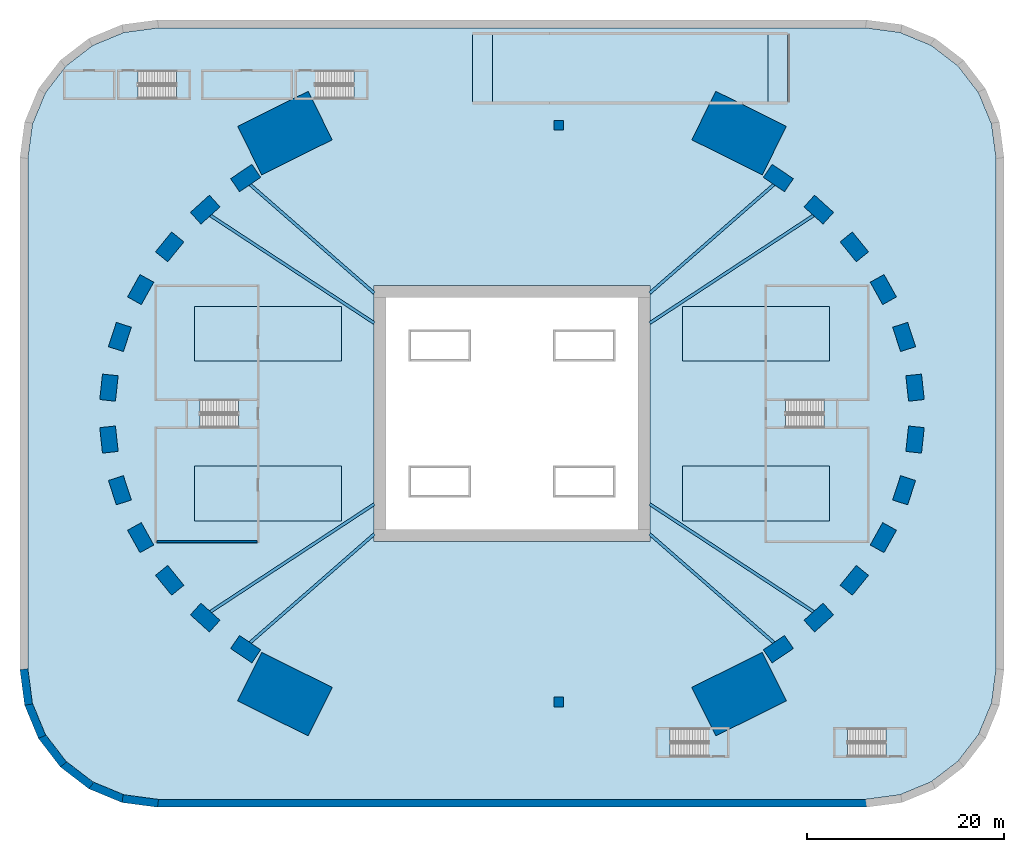
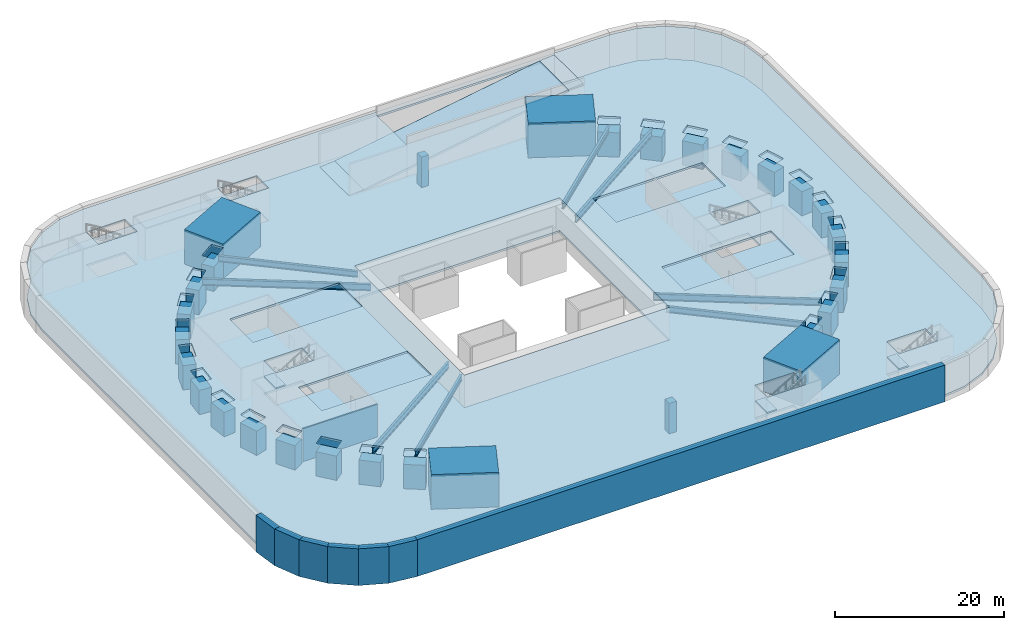
# One storey, part 1 of 10: 30 columns, 11 slabs, 8 beams, 8 walls, 6 elements without a shape of their own.
"""IFC4 building model written with IfcOpenShell, lengths in metres."""

from ifc_helpers import new_model, si_unit, direction, frame, frame_2d, origin, origin_2d, place, context, subcontext, project, spatial, polyline, rectangle, i_section, outline, extrude, source, transform, mapped, material, layer, layer_set, material_profile, profile_set, type_object, element, aggregate, save


model = new_model("IFC4")

# Units and contexts
model_context = context("Model", 3, precision=1e-05, world=origin(), true_north=direction((0.0, 1.0)))
body_context = subcontext(model_context, "Body", "Model", "MODEL_VIEW")
ifc_project = project(units=[si_unit("LENGTHUNIT", "METRE"), si_unit("AREAUNIT", "SQUARE_METRE"), si_unit("VOLUMEUNIT", "CUBIC_METRE"), si_unit("PLANEANGLEUNIT", "RADIAN"), si_unit("MASSUNIT", "GRAM", prefix="KILO")], contexts=[model_context])

# Site, building, storey
site_placement = place(None, origin())
site = spatial("IfcSite", under=ifc_project, at=site_placement, CompositionType="ELEMENT")
building_placement = place(site_placement, origin())
building = spatial("IfcBuilding", under=site, at=building_placement, Name="Embergate Tower", CompositionType="ELEMENT")
storey_placement = place(building_placement, frame((0.0, 0.0, -5.0)))
storey = spatial("IfcBuildingStorey", under=building, at=storey_placement, Name="B1", CompositionType="ELEMENT", Elevation=-5.0)

# Columns
ifc_material_1 = material(Name="Concrete C70", Category="concrete")
ifc_material_profile_1 = material_profile(ifc_material_1, rectangle(XDim=1.60009765625, YDim=2.60009765625, at=origin_2d()), Name="RC 1600x2600")
ifc_profile_set_1 = profile_set([ifc_material_profile_1], Name="Concrete C70")
column_type_1 = type_object("IfcColumnType", Name="Ring column RC 1600x2600 C70", PredefinedType="COLUMN", material=ifc_profile_set_1)
shared_shape_1 = source(origin(), body_context, "Body", "SweptSolid", [
    extrude(rectangle(XDim=1.60009765625, YDim=2.60009765625, at=origin_2d()), origin(), (0.0, 0.0, 1.0), 3.5),
])
for number, where, z_axis, x_axis, name in (
    (1, (40.958984375, 2.636962890625, 0.0), (0.0, 0.0, 1.0), (0.99428589498, 0.106749983816, 0.0), "COL-B1-00"),
    (2, (39.85009765625, 7.7880859375, 0.0), (0.0, 0.0, 1.0), (0.950754033697, 0.309946394413, 0.0), "COL-B1-01"),
    (3, (37.738037109375, 12.60498046875, 0.0), (0.0, 0.0, 1.0), (0.873491969053, 0.486838556403, 0.0), "COL-B1-02"),
    (4, (34.7890625, 16.94189453125, 0.0), (0.0, 0.0, 1.0), (0.775925311702, 0.630824786022, 0.0), "COL-B1-03"),
    (5, (31.178955078125, 20.72802734375, 0.0), (0.0, 0.0, 1.0), (0.669208424634, 0.74307475021, 0.0), "COL-B1-04"),
    (6, (27.06494140625, 23.93896484375, 0.0), (0.0, 0.0, 1.0), (0.560393279442, 0.828226643109, 0.0), "COL-B1-05"),
    (7, (-27.06494140625, 23.93896484375, 0.0), (0.0, 0.0, 1.0), (-0.560393279442, 0.828226643109, 0.0), "COL-B1-16"),
    (8, (-31.178955078125, 20.72802734375, 0.0), (0.0, 0.0, 1.0), (-0.669208424634, 0.74307475021, 0.0), "COL-B1-17"),
    (9, (-34.7890625, 16.94189453125, 0.0), (0.0, 0.0, 1.0), (-0.775925311702, 0.630824786022, 0.0), "COL-B1-18"),
    (10, (-37.738037109375, 12.60498046875, 0.0), (0.0, 0.0, 1.0), (-0.873491969053, 0.486838556403, 0.0), "COL-B1-19"),
    (11, (-39.85009765625, 7.7880859375, 0.0), (0.0, 0.0, 1.0), (-0.950754033697, 0.309946394413, 0.0), "COL-B1-20"),
    (12, (-40.958984375, 2.636962890625, 0.0), (0.0, 0.0, 1.0), (-0.99428589498, 0.106749983816, 0.0), "COL-B1-21"),
    (13, (-40.958984375, -2.636962890625, 0.0), (0.0, 0.0, 1.0), (-0.99428589498, -0.106749983816, 0.0), "COL-B1-22"),
    (14, (-39.85009765625, -7.7880859375, 0.0), (0.0, 0.0, 1.0), (-0.950754033697, -0.309946394413, 0.0), "COL-B1-23"),
    (15, (-37.738037109375, -12.60498046875, 0.0), (0.0, 0.0, 1.0), (-0.873491969053, -0.486838556403, 0.0), "COL-B1-24"),
    (16, (-34.7890625, -16.94189453125, 0.0), (0.0, 0.0, 1.0), (-0.775925311702, -0.630824786022, 0.0), "COL-B1-25"),
    (17, (-31.178955078125, -20.72802734375, 0.0), (0.0, 0.0, 1.0), (-0.669208424634, -0.74307475021, 0.0), "COL-B1-26"),
    (18, (-27.06494140625, -23.93896484375, 0.0), (0.0, 0.0, 1.0), (-0.560393279442, -0.828226643109, 0.0), "COL-B1-27"),
    (19, (27.06494140625, -23.93896484375, 0.0), (0.0, 0.0, 1.0), (0.560393279442, -0.828226643109, 0.0), "COL-B1-38"),
    (20, (31.178955078125, -20.72802734375, 0.0), (0.0, 0.0, 1.0), (0.669208424634, -0.74307475021, 0.0), "COL-B1-39"),
    (21, (34.7890625, -16.94189453125, 0.0), (0.0, 0.0, 1.0), (0.775925311702, -0.630824786022, 0.0), "COL-B1-40"),
    (22, (37.738037109375, -12.60498046875, 0.0), (0.0, 0.0, 1.0), (0.873491969053, -0.486838556403, 0.0), "COL-B1-41"),
    (23, (39.85009765625, -7.7880859375, 0.0), (0.0, 0.0, 1.0), (0.950754033697, -0.309946394413, 0.0), "COL-B1-42"),
    (24, (40.958984375, -2.636962890625, 0.0), (0.0, 0.0, 1.0), (0.99428589498, -0.106749983816, 0.0), "COL-B1-43"),
):
    element("IfcColumn", number, at=place(storey_placement, frame(where, z_axis=z_axis, x_axis=x_axis)), inside=storey, type_object=column_type_1, Name=name, PredefinedType="COLUMN", context=body_context, shape_type="MappedRepresentation", body=[
        mapped(shared_shape_1, transform((0.0, 0.0, 0.0))),
    ])
ifc_material_2 = material(Name="Concrete C50", Category="concrete")
ifc_material_profile_2 = material_profile(ifc_material_2, rectangle(XDim=1.0, YDim=1.0, at=origin_2d()), Name="RC 1000x1000")
ifc_profile_set_2 = profile_set([ifc_material_profile_2], Name="Concrete C50")
column_type_2 = type_object("IfcColumnType", Name="Basement column RC 1000x1000 C50", PredefinedType="COLUMN", material=ifc_profile_set_2)
shared_shape_2 = source(origin(), body_context, "Body", "SweptSolid", [
    extrude(rectangle(XDim=1.0, YDim=1.0, at=origin_2d()), origin(), (0.0, 0.0, 1.0), 4.39990234375),
])
for number, where, z_axis, x_axis, name in (
    (25, (4.75, 29.300048828125, 0.0), (0.0, 0.0, 1.0), (1.0, 0.0, 0.0), "BCL-B1-000"),
    (26, (4.75, -29.300048828125, 0.0), (0.0, 0.0, 1.0), (1.0, 0.0, 0.0), "BCL-B1-001"),
):
    element("IfcColumn", number, at=place(storey_placement, frame(where, z_axis=z_axis, x_axis=x_axis)), inside=storey, type_object=column_type_2, Name=name, PredefinedType="COLUMN", context=body_context, shape_type="MappedRepresentation", body=[
        mapped(shared_shape_2, transform((0.0, 0.0, 0.0))),
    ])
ifc_material_profile_3 = material_profile(ifc_material_1, rectangle(XDim=5.5, YDim=8.0, at=origin_2d()), Name="RC 5500x8000")
ifc_profile_set_3 = profile_set([ifc_material_profile_3], Name="Concrete C70")
column_type_3 = type_object("IfcColumnType", Name="Abutment pier RC 5500x8000", PredefinedType="COLUMN", material=ifc_profile_set_3)
shared_shape_3 = source(origin(), body_context, "Body", "SweptSolid", [
    extrude(rectangle(XDim=5.5, YDim=8.0, at=origin_2d()), origin(), (0.0, 0.0, 1.0), 5.0),
])
for number, where, z_axis, x_axis, name in (
    (27, (23.076904296875, 28.509033203125, 0.0), (0.0, 0.0, 1.0), (0.444697710579, 0.895680716665, 0.0), "PIER-B1-06"),
    (28, (-23.076904296875, 28.509033203125, 0.0), (0.0, 0.0, 1.0), (-0.444697710579, 0.895680716665, 0.0), "PIER-B1-15"),
    (29, (-23.076904296875, -28.509033203125, 0.0), (0.0, 0.0, 1.0), (-0.444697710579, -0.895680716665, 0.0), "PIER-B1-28"),
    (30, (23.076904296875, -28.509033203125, 0.0), (0.0, 0.0, 1.0), (0.444697710579, -0.895680716665, 0.0), "PIER-B1-37"),
):
    element("IfcColumn", number, at=place(storey_placement, frame(where, z_axis=z_axis, x_axis=x_axis)), inside=storey, type_object=column_type_3, Name=name, PredefinedType="COLUMN", context=body_context, shape_type="MappedRepresentation", body=[
        mapped(shared_shape_3, transform((0.0, 0.0, 0.0))),
    ])

# Beams
ifc_material_3 = material(Name="Steel Q355B", Category="steel")
ifc_material_profile_4 = material_profile(ifc_material_3, i_section(OverallWidth=0.300048828125, OverallDepth=0.89990234375, WebThickness=0.01611328125, FlangeThickness=0.028076171875, FilletRadius=0.028076171875, at=origin_2d()), Name="HN 900x300x16x28")
ifc_profile_set_4 = profile_set([ifc_material_profile_4], Name="Steel Q355 grade B")
beam_type_1 = type_object("IfcBeamType", Name="Basement girder HN 900x300x16x28", PredefinedType="BEAM", material=ifc_profile_set_4)
shared_shape_4 = source(origin(), body_context, "Body", "SweptSolid", [
    extrude(i_section(OverallWidth=0.300048828125, OverallDepth=0.89990234375, WebThickness=0.01611328125, FlangeThickness=0.028076171875, FilletRadius=0.028076171875, at=origin_2d()), origin(), (0.0, 0.0, 1.0), 19.915283203125),
])
for number, where, z_axis, x_axis, name in (
    (31, (30.64404296875, 20.134033203125, 3.949951171875), (-0.835739557049, -0.549126026322, 0.0), (0.549126026322, -0.835739557049, 0.0), "GBD-B1-04"),
    (32, (-30.64404296875, 20.134033203125, 3.949951171875), (0.835739557049, -0.549126026322, 0.0), (0.549126026322, 0.835739557049, 0.0), "GBD-B1-17"),
    (33, (-30.64404296875, -20.134033203125, 3.949951171875), (0.835739557049, 0.549126026322, 0.0), (-0.549126026322, 0.835739557049, 0.0), "GBD-B1-26"),
    (34, (30.64404296875, -20.134033203125, 3.949951171875), (-0.835739557049, 0.549126026322, 0.0), (-0.549126026322, -0.835739557049, 0.0), "GBD-B1-39"),
):
    element("IfcBeam", number, at=place(storey_placement, frame(where, z_axis=z_axis, x_axis=x_axis)), inside=storey, type_object=beam_type_1, Name=name, PredefinedType="BEAM", context=body_context, shape_type="MappedRepresentation", body=[
        mapped(shared_shape_4, transform((0.0, 0.0, 0.0))),
    ])
ifc_material_profile_5 = material_profile(ifc_material_3, i_section(OverallWidth=0.300048828125, OverallDepth=0.800048828125, WebThickness=0.013916015625, FlangeThickness=0.02587890625, FilletRadius=0.028076171875, at=origin_2d()), Name="HN 800x300x14x26")
ifc_profile_set_5 = profile_set([ifc_material_profile_5], Name="Steel Q355 grade B")
beam_type_2 = type_object("IfcBeamType", Name="Basement girder HN 800x300x14x26", PredefinedType="BEAM", material=ifc_profile_set_5)
shared_shape_5 = source(origin(), body_context, "Body", "SweptSolid", [
    extrude(i_section(OverallWidth=0.300048828125, OverallDepth=0.800048828125, WebThickness=0.013916015625, FlangeThickness=0.02587890625, FilletRadius=0.028076171875, at=origin_2d()), origin(), (0.0, 0.0, 1.0), 16.760498046875),
])
for number, where, z_axis, x_axis, name in (
    (35, (26.616943359375, 23.27587890625, 4.0), (-0.752779686922, -0.658272544587, 0.0), (0.658272544587, -0.752779686922, 0.0), "GBD-B1-05"),
    (36, (-26.616943359375, 23.27587890625, 4.0), (0.752779686922, -0.658272544587, 0.0), (0.658272544587, 0.752779686922, 0.0), "GBD-B1-16"),
    (37, (-26.616943359375, -23.27587890625, 4.0), (0.752779686922, 0.658272544587, 0.0), (-0.658272544587, 0.752779686922, 0.0), "GBD-B1-27"),
    (38, (26.616943359375, -23.27587890625, 4.0), (-0.752779686922, 0.658272544587, 0.0), (-0.658272544587, -0.752779686922, 0.0), "GBD-B1-38"),
):
    element("IfcBeam", number, at=place(storey_placement, frame(where, z_axis=z_axis, x_axis=x_axis)), inside=storey, type_object=beam_type_2, Name=name, PredefinedType="BEAM", context=body_context, shape_type="MappedRepresentation", body=[
        mapped(shared_shape_5, transform((0.0, 0.0, 0.0))),
    ])

# Slabs
ifc_material_4 = material(Name="Concrete C40", Category="concrete")
ifc_layer_1 = layer(ifc_material_4, 0.300048828125)
ifc_layer_set_1 = layer_set([ifc_layer_1], Name="Concrete C40")
slab_type_1 = type_object("IfcSlabType", Name="Car park floor C40 300", PredefinedType="FLOOR", material=ifc_layer_set_1)
shared_shape_6 = source(origin(), body_context, "Body", "SweptSolid", [
    extrude(outline(polyline([(0.0, 0.0), (71.89599609375, 0.0), (75.362060546875, 0.4560546875), (78.5439453125, 1.77490234375), (81.27587890625, 3.8720703125), (83.373046875, 6.60400390625), (84.69189453125, 9.785888671875), (85.14794921875, 13.251953125), (85.14794921875, 65.14794921875), (84.69189453125, 68.614013671875), (83.373046875, 71.7958984375), (81.27587890625, 74.52783203125), (78.5439453125, 76.625), (75.362060546875, 77.94384765625), (71.89599609375, 78.39990234375), (0.0, 78.39990234375), (-3.466064453125, 77.94384765625), (-6.64794921875, 76.625), (-9.3798828125, 74.52783203125), (-11.47705078125, 71.7958984375), (-12.7958984375, 68.614013671875), (-13.251953125, 65.14794921875), (-13.251953125, 13.251953125), (-12.7958984375, 9.785888671875), (-11.47705078125, 6.60400390625), (-9.3798828125, 3.8720703125), (-6.64794921875, 1.77490234375), (-3.466064453125, 0.4560546875), (0.0, 0.0)]), holes=[polyline([(50.677978515625, 4.349853515625), (50.677978515625, 7.199951171875), (55.93798828125, 7.199951171875), (55.93798828125, 4.349853515625), (50.677978515625, 4.349853515625)]), polyline([(68.677978515625, 4.349853515625), (68.677978515625, 7.199951171875), (73.93798828125, 7.199951171875), (73.93798828125, 4.349853515625), (68.677978515625, 4.349853515625)]), polyline([(21.947998046875, 26.199951171875), (21.947998046875, 52.199951171875), (49.947998046875, 52.199951171875), (49.947998046875, 26.199951171875), (21.947998046875, 26.199951171875)]), polyline([(2.8779296875, 37.77490234375), (2.8779296875, 40.625), (8.137939453125, 40.625), (8.137939453125, 37.77490234375), (2.8779296875, 37.77490234375)]), polyline([(63.758056640625, 37.77490234375), (63.758056640625, 40.625), (69.01806640625, 40.625), (69.01806640625, 37.77490234375), (63.758056640625, 37.77490234375)]), polyline([(31.947998046875, 70.89990234375), (31.947998046875, 77.699951171875), (63.947998046875, 77.699951171875), (63.947998046875, 70.89990234375), (31.947998046875, 70.89990234375)]), polyline([(-2.0419921875, 71.199951171875), (-2.0419921875, 74.050048828125), (3.218017578125, 74.050048828125), (3.218017578125, 71.199951171875), (-2.0419921875, 71.199951171875)]), polyline([(15.9580078125, 71.199951171875), (15.9580078125, 74.050048828125), (21.218017578125, 74.050048828125), (21.218017578125, 71.199951171875), (15.9580078125, 71.199951171875)])]), origin(), (0.0, 0.0, 1.0), 0.300048828125),
])
slab_1_placement = place(storey_placement, frame((-35.947998046875, -39.199951171875, -0.300048828125)))
element("IfcSlab", 39, at=slab_1_placement, inside=storey, type_object=slab_type_1, Name="SLB-B1-F00", PredefinedType="FLOOR", context=body_context, shape_type="MappedRepresentation", body=[
    mapped(shared_shape_6, transform((0.0, 0.0, 0.0))),
])
ifc_layer_2 = layer(ifc_material_4, 0.300048828125)
ifc_layer_set_2 = layer_set([ifc_layer_2], Name="Concrete C40")
slab_type_2 = type_object("IfcSlabType", Name="Plaza deck C40 300", PredefinedType="FLOOR", material=ifc_layer_set_2)
shared_shape_7 = source(origin(), body_context, "Body", "SweptSolid", [
    extrude(outline(polyline([(0.0, 0.0), (71.89599609375, 0.0), (75.362060546875, 0.4560546875), (78.5439453125, 1.77490234375), (81.27587890625, 3.8720703125), (83.373046875, 6.60400390625), (84.69189453125, 9.785888671875), (85.14794921875, 13.251953125), (85.14794921875, 65.14794921875), (84.69189453125, 68.614013671875), (83.373046875, 71.7958984375), (81.27587890625, 74.52783203125), (78.5439453125, 76.625), (75.362060546875, 77.94384765625), (71.89599609375, 78.39990234375), (0.0, 78.39990234375), (-3.466064453125, 77.94384765625), (-6.64794921875, 76.625), (-9.3798828125, 74.52783203125), (-11.47705078125, 71.7958984375), (-12.7958984375, 68.614013671875), (-13.251953125, 65.14794921875), (-13.251953125, 13.251953125), (-12.7958984375, 9.785888671875), (-11.47705078125, 6.60400390625), (-9.3798828125, 3.8720703125), (-6.64794921875, 1.77490234375), (-3.466064453125, 0.4560546875), (0.0, 0.0)]), holes=[polyline([(50.677978515625, 4.349853515625), (50.677978515625, 7.199951171875), (55.93798828125, 7.199951171875), (55.93798828125, 4.349853515625), (50.677978515625, 4.349853515625)]), polyline([(68.677978515625, 4.349853515625), (68.677978515625, 7.199951171875), (73.93798828125, 7.199951171875), (73.93798828125, 4.349853515625), (68.677978515625, 4.349853515625)]), polyline([(9.510986328125, 13.869873046875), (7.35791015625, 15.326904296875), (8.2548828125, 16.65185546875), (10.407958984375, 15.195068359375), (9.510986328125, 13.869873046875)]), polyline([(62.385009765625, 13.869873046875), (61.488037109375, 15.195068359375), (63.64111328125, 16.65185546875), (64.5380859375, 15.326904296875), (62.385009765625, 13.869873046875)]), polyline([(5.199951171875, 17.008056640625), (3.26806640625, 18.748046875), (4.337890625, 19.93603515625), (6.27001953125, 18.196044921875), (5.199951171875, 17.008056640625)]), polyline([(66.696044921875, 17.008056640625), (65.6259765625, 18.196044921875), (67.55810546875, 19.93603515625), (68.6279296875, 18.748046875), (66.696044921875, 17.008056640625)]), polyline([(1.35791015625, 20.744873046875), (-0.281982421875, 22.761962890625), (0.9599609375, 23.77099609375), (2.60009765625, 21.75390625), (1.35791015625, 20.744873046875)]), polyline([(70.5380859375, 20.744873046875), (69.2958984375, 21.75390625), (70.93603515625, 23.77099609375), (72.177978515625, 22.761962890625), (70.5380859375, 20.744873046875)]), polyline([(-1.85595703125, 25.070068359375), (-3.1220703125, 27.341064453125), (-1.72412109375, 28.119873046875), (-0.4580078125, 25.848876953125), (-1.85595703125, 25.070068359375)]), polyline([(73.751953125, 25.070068359375), (72.35400390625, 25.848876953125), (73.6201171875, 28.119873046875), (75.01806640625, 27.341064453125), (73.751953125, 25.070068359375)]), polyline([(21.947998046875, 26.199951171875), (21.947998046875, 52.199951171875), (49.947998046875, 52.199951171875), (49.947998046875, 26.199951171875), (21.947998046875, 26.199951171875)]), polyline([(3.677978515625, 28.300048828125), (3.677978515625, 33.849853515625), (18.597900390625, 33.849853515625), (18.597900390625, 28.300048828125), (3.677978515625, 28.300048828125)]), polyline([(53.298095703125, 28.300048828125), (53.298095703125, 33.849853515625), (68.218017578125, 33.849853515625), (68.218017578125, 28.300048828125), (53.298095703125, 28.300048828125)]), polyline([(-4.260009765625, 29.927978515625), (-5.06591796875, 32.39990234375), (-3.5439453125, 32.89599609375), (-2.738037109375, 30.424072265625), (-4.260009765625, 29.927978515625)]), polyline([(76.156005859375, 29.927978515625), (74.634033203125, 30.424072265625), (75.43994140625, 32.89599609375), (76.9619140625, 32.39990234375), (76.156005859375, 29.927978515625)]), polyline([(-5.66796875, 35.18505859375), (-5.945068359375, 37.77001953125), (-4.35400390625, 37.94091796875), (-4.076904296875, 35.35595703125), (-5.66796875, 35.18505859375)]), polyline([(77.56396484375, 35.18505859375), (75.972900390625, 35.35595703125), (76.25, 37.94091796875), (77.841064453125, 37.77001953125), (77.56396484375, 35.18505859375)]), polyline([(2.8779296875, 37.77490234375), (2.8779296875, 40.625), (8.137939453125, 40.625), (8.137939453125, 37.77490234375), (2.8779296875, 37.77490234375)]), polyline([(63.758056640625, 37.77490234375), (63.758056640625, 40.625), (69.01806640625, 40.625), (69.01806640625, 37.77490234375), (63.758056640625, 37.77490234375)]), polyline([(-4.35400390625, 40.458984375), (-5.945068359375, 40.6298828125), (-5.66796875, 43.21484375), (-4.076904296875, 43.0439453125), (-4.35400390625, 40.458984375)]), polyline([(76.25, 40.458984375), (75.972900390625, 43.0439453125), (77.56396484375, 43.21484375), (77.841064453125, 40.6298828125), (76.25, 40.458984375)]), polyline([(3.677978515625, 44.550048828125), (3.677978515625, 50.099853515625), (18.597900390625, 50.099853515625), (18.597900390625, 44.550048828125), (3.677978515625, 44.550048828125)]), polyline([(53.298095703125, 44.550048828125), (53.298095703125, 50.099853515625), (68.218017578125, 50.099853515625), (68.218017578125, 44.550048828125), (53.298095703125, 44.550048828125)]), polyline([(-3.5439453125, 45.50390625), (-5.06591796875, 46.0), (-4.260009765625, 48.471923828125), (-2.738037109375, 47.975830078125), (-3.5439453125, 45.50390625)]), polyline([(75.43994140625, 45.50390625), (74.634033203125, 47.975830078125), (76.156005859375, 48.471923828125), (76.9619140625, 46.0), (75.43994140625, 45.50390625)]), polyline([(-1.72412109375, 50.280029296875), (-3.1220703125, 51.058837890625), (-1.85595703125, 53.329833984375), (-0.4580078125, 52.551025390625), (-1.72412109375, 50.280029296875)]), polyline([(73.6201171875, 50.280029296875), (72.35400390625, 52.551025390625), (73.751953125, 53.329833984375), (75.01806640625, 51.058837890625), (73.6201171875, 50.280029296875)]), polyline([(0.9599609375, 54.62890625), (-0.281982421875, 55.637939453125), (1.35791015625, 57.655029296875), (2.60009765625, 56.64599609375), (0.9599609375, 54.62890625)]), polyline([(70.93603515625, 54.62890625), (69.2958984375, 56.64599609375), (70.5380859375, 57.655029296875), (72.177978515625, 55.637939453125), (70.93603515625, 54.62890625)]), polyline([(4.337890625, 58.4638671875), (3.26806640625, 59.65185546875), (5.199951171875, 61.391845703125), (6.27001953125, 60.203857421875), (4.337890625, 58.4638671875)]), polyline([(67.55810546875, 58.4638671875), (65.6259765625, 60.203857421875), (66.696044921875, 61.391845703125), (68.6279296875, 59.65185546875), (67.55810546875, 58.4638671875)]), polyline([(8.2548828125, 61.748046875), (7.35791015625, 63.072998046875), (9.510986328125, 64.530029296875), (10.407958984375, 63.204833984375), (8.2548828125, 61.748046875)]), polyline([(63.64111328125, 61.748046875), (61.488037109375, 63.204833984375), (62.385009765625, 64.530029296875), (64.5380859375, 63.072998046875), (63.64111328125, 61.748046875)]), polyline([(39.748046875, 70.89990234375), (39.748046875, 77.699951171875), (63.947998046875, 77.699951171875), (63.947998046875, 70.89990234375), (39.748046875, 70.89990234375)]), polyline([(-2.0419921875, 71.199951171875), (-2.0419921875, 74.050048828125), (3.218017578125, 74.050048828125), (3.218017578125, 71.199951171875), (-2.0419921875, 71.199951171875)]), polyline([(15.9580078125, 71.199951171875), (15.9580078125, 74.050048828125), (21.218017578125, 74.050048828125), (21.218017578125, 71.199951171875), (15.9580078125, 71.199951171875)])]), origin(), (0.0, 0.0, 1.0), 0.300048828125),
])
slab_2_placement = place(storey_placement, frame((-35.947998046875, -39.199951171875, 4.39990234375)))
element("IfcSlab", 40, at=slab_2_placement, inside=storey, type_object=slab_type_2, Name="SLB-B1-D00", PredefinedType="FLOOR", context=body_context, shape_type="MappedRepresentation", body=[
    mapped(shared_shape_7, transform((0.0, 0.0, 0.0))),
])
ifc_layer_3 = layer(ifc_material_4, 0.300048828125)
ifc_layer_set_3 = layer_set([ifc_layer_3], Name="Concrete C40")
slab_type_3 = type_object("IfcSlabType", Name="Car ramp C40 300", PredefinedType="USERDEFINED", material=ifc_layer_set_3)
shared_shape_8 = source(origin(), body_context, "Body", "SweptSolid", [
    extrude(outline(polyline([(0.0, 0.0), (2.007080078125, 0.0), (2.007080078125, 6.840087890625), (0.0, 6.840087890625), (0.0, 0.0)])), origin(), (0.0, 0.0, -1.0), 0.300048828125),
])
for number, where, z_axis, x_axis, name in (
    (41, (-4.0, 31.679931640625, 0.0), (-0.083206556192, 0.0, 0.996532322108), (0.996532322108, 0.0, 0.083206556192), "Ramp entry transition"),
    (42, (26.0, 31.679931640625, 4.8330078125), (-0.083206556192, 0.0, 0.996532322108), (0.996532322108, 0.0, 0.083206556192), "Ramp exit transition"),
):
    element("IfcSlab", number, at=place(storey_placement, frame(where, z_axis=z_axis, x_axis=x_axis)), inside=storey, type_object=slab_type_3, Name=name, ObjectType="RAMP", PredefinedType="USERDEFINED", context=body_context, shape_type="MappedRepresentation", body=[
        mapped(shared_shape_8, transform((0.0, 0.0, 0.0))),
    ])
shared_shape_9 = source(origin(), body_context, "Body", "SweptSolid", [
    extrude(outline(polyline([(0.0, 0.0), (28.38623046875, 0.0), (28.38623046875, 6.840087890625), (0.0, 6.840087890625), (0.0, 0.0)])), origin(), (0.0, 0.0, -1.0), 0.300048828125),
])
slab_3_placement = place(storey_placement, frame((-2.0, 31.679931640625, 0.1669921875), z_axis=(-0.164376671921, 0.0, 0.986397642803), x_axis=(0.986397642803, 0.0, 0.164376671921)))
element("IfcSlab", 43, at=slab_3_placement, inside=storey, type_object=slab_type_3, Name="Car ramp", ObjectType="RAMP", PredefinedType="USERDEFINED", context=body_context, shape_type="MappedRepresentation", body=[
    mapped(shared_shape_9, transform((0.0, 0.0, 0.0))),
])

# Stair, slab
stair_type = type_object("IfcStairType", Name="Exit stair RC", PredefinedType="HALF_TURN_STAIR", material=ifc_material_4)
stair_1_placement = place(storey_placement, origin())
stair_1 = element("IfcStair", 44, at=stair_1_placement, inside=storey, type_object=stair_type, Name="B1 Basement exit stair S1", PredefinedType="HALF_TURN_STAIR")
ifc_layer_4 = layer(ifc_material_4, 0.199951171875)
ifc_layer_set_4 = layer_set([ifc_layer_4], Name="Concrete C40")
slab_type_4 = type_object("IfcSlabType", Name="Exit stair landing RC", PredefinedType="LANDING", material=ifc_layer_set_4)
shared_shape_10 = source(origin(), body_context, "Body", "SweptSolid", [
    extrude(outline(polyline([(0.0, 0.0), (1.35009765625, 0.0), (1.35009765625, 2.85009765625), (0.0, 2.85009765625), (0.0, 0.0)])), origin(), (0.0, 0.0, 1.0), 0.199951171875),
])
slab_4_placement = place(storey_placement, frame((-16.080078125, 32.0, 2.300048828125)))
slab_4 = element("IfcSlab", 45, at=slab_4_placement, type_object=slab_type_4, Name="XS1 landing 1", PredefinedType="LANDING", context=body_context, shape_type="MappedRepresentation", body=[
    mapped(shared_shape_10, transform((0.0, 0.0, 0.0))),
])
aggregate(stair_1, [slab_4])

stair_2_placement = place(storey_placement, origin())
stair_2 = element("IfcStair", 46, at=stair_2_placement, inside=storey, type_object=stair_type, Name="B1 Basement exit stair S2", PredefinedType="HALF_TURN_STAIR")
slab_5_placement = place(storey_placement, frame((-34.080078125, 32.0, 2.300048828125)))
slab_5 = element("IfcSlab", 47, at=slab_5_placement, type_object=slab_type_4, Name="XS2 landing 1", PredefinedType="LANDING", context=body_context, shape_type="MappedRepresentation", body=[
    mapped(shared_shape_10, transform((0.0, 0.0, 0.0))),
])
aggregate(stair_2, [slab_5])

stair_3_placement = place(storey_placement, origin())
stair_3 = element("IfcStair", 48, at=stair_3_placement, inside=storey, type_object=stair_type, Name="B1 Basement exit stair S3", PredefinedType="HALF_TURN_STAIR")
slab_6_placement = place(storey_placement, frame((14.72998046875, -34.85009765625, 2.300048828125)))
slab_6 = element("IfcSlab", 49, at=slab_6_placement, type_object=slab_type_4, Name="XS3 landing 1", PredefinedType="LANDING", context=body_context, shape_type="MappedRepresentation", body=[
    mapped(shared_shape_10, transform((0.0, 0.0, 0.0))),
])
aggregate(stair_3, [slab_6])

stair_4_placement = place(storey_placement, origin())
stair_4 = element("IfcStair", 50, at=stair_4_placement, inside=storey, type_object=stair_type, Name="B1 Basement exit stair S4", PredefinedType="HALF_TURN_STAIR")
slab_7_placement = place(storey_placement, frame((32.72998046875, -34.85009765625, 2.300048828125)))
slab_7 = element("IfcSlab", 51, at=slab_7_placement, type_object=slab_type_4, Name="XS4 landing 1", PredefinedType="LANDING", context=body_context, shape_type="MappedRepresentation", body=[
    mapped(shared_shape_10, transform((0.0, 0.0, 0.0))),
])
aggregate(stair_4, [slab_7])

stair_5_placement = place(storey_placement, origin())
stair_5 = element("IfcStair", 52, at=stair_5_placement, inside=storey, type_object=stair_type, Name="B1 Basement exit stair E1", PredefinedType="HALF_TURN_STAIR")
slab_8_placement = place(storey_placement, frame((31.719970703125, -1.425048828125, 2.300048828125)))
slab_8 = element("IfcSlab", 53, at=slab_8_placement, type_object=slab_type_4, Name="XE1 landing 1", PredefinedType="LANDING", context=body_context, shape_type="MappedRepresentation", body=[
    mapped(shared_shape_10, transform((0.0, 0.0, 0.0))),
])
aggregate(stair_5, [slab_8])

stair_6_placement = place(storey_placement, origin())
stair_6 = element("IfcStair", 54, at=stair_6_placement, inside=storey, type_object=stair_type, Name="B1 Basement exit stair W1", PredefinedType="HALF_TURN_STAIR")
slab_9_placement = place(storey_placement, frame((-33.070068359375, -1.425048828125, 2.300048828125)))
slab_9 = element("IfcSlab", 55, at=slab_9_placement, type_object=slab_type_4, Name="XW1 landing 1", PredefinedType="LANDING", context=body_context, shape_type="MappedRepresentation", body=[
    mapped(shared_shape_10, transform((0.0, 0.0, 0.0))),
])
aggregate(stair_6, [slab_9])

# Walls
ifc_layer_5 = layer(ifc_material_4, 0.800048828125)
ifc_layer_set_5 = layer_set([ifc_layer_5], Name="Concrete C40")
wall_type_1 = type_object("IfcWallType", Name="Basement retaining wall C40 800", PredefinedType="SOLIDWALL", material=ifc_layer_set_5)
shared_shape_11 = source(origin(), body_context, "Body", "SweptSolid", [
    extrude(rectangle(XDim=3.62890625, YDim=0.800048828125, at=frame_2d((1.814453125, 0.0))), origin(), (0.0, 0.0, 1.0), 5.300048828125),
])
for number, where, z_axis, x_axis, name in (
    (56, (-49.60302734375, -25.97412109375, -0.300048828125), (0.0, 0.0, 1.0), (0.130383159045, -0.991463681552, 0.0), "RWL-B1-014"),
    (57, (-39.572021484375, -39.1298828125, -0.300048828125), (0.0, 0.0, 1.0), (0.991463681552, -0.130383159045, 0.0), "RWL-B1-019"),
):
    element("IfcWall", number, at=place(storey_placement, frame(where, z_axis=z_axis, x_axis=x_axis)), inside=storey, type_object=wall_type_1, Name=name, PredefinedType="SOLIDWALL", context=body_context, shape_type="MappedRepresentation", body=[
        mapped(shared_shape_11, transform((0.0, 0.0, 0.0))),
    ])
shared_shape_12 = source(origin(), body_context, "Body", "SweptSolid", [
    extrude(rectangle(XDim=3.65625, YDim=0.800048828125, at=frame_2d((1.828125, 0.0))), origin(), (0.0, 0.0, 1.0), 5.300048828125),
])
for number, where, z_axis, x_axis, name in (
    (58, (-49.156982421875, -29.470947265625, -0.300048828125), (0.0, 0.0, 1.0), (0.382599476739, -0.923914303601, 0.0), "RWL-B1-015"),
    (59, (-42.84912109375, -37.758056640625, -0.300048828125), (0.0, 0.0, 1.0), (0.923914303601, -0.382599476739, 0.0), "RWL-B1-018"),
):
    element("IfcWall", number, at=place(storey_placement, frame(where, z_axis=z_axis, x_axis=x_axis)), inside=storey, type_object=wall_type_1, Name=name, PredefinedType="SOLIDWALL", context=body_context, shape_type="MappedRepresentation", body=[
        mapped(shared_shape_12, transform((0.0, 0.0, 0.0))),
    ])
shared_shape_13 = source(origin(), body_context, "Body", "SweptSolid", [
    extrude(rectangle(XDim=3.656005859375, YDim=0.800048828125, at=frame_2d((1.828125, 0.0))), origin(), (0.0, 0.0, 1.0), 5.300048828125),
])
for number, where, z_axis, x_axis, name in (
    (60, (-47.81005859375, -32.758056640625, -0.300048828125), (0.0, 0.0, 1.0), (0.608619384994, -0.793462314297, 0.0), "RWL-B1-016"),
    (61, (-45.658935546875, -35.5849609375, -0.300048828125), (0.0, 0.0, 1.0), (0.793462314297, -0.608619384994, 0.0), "RWL-B1-017"),
):
    element("IfcWall", number, at=place(storey_placement, frame(where, z_axis=z_axis, x_axis=x_axis)), inside=storey, type_object=wall_type_1, Name=name, PredefinedType="SOLIDWALL", context=body_context, shape_type="MappedRepresentation", body=[
        mapped(shared_shape_13, transform((0.0, 0.0, 0.0))),
    ])
shared_shape_14 = source(origin(), body_context, "Body", "SweptSolid", [
    extrude(rectangle(XDim=72.0517578125, YDim=0.800048828125, at=frame_2d((36.02587890625, 0.0))), origin(), (0.0, 0.0, 1.0), 5.300048828125),
])
wall_1_placement = place(storey_placement, frame((-36.02587890625, -39.60009765625, -0.300048828125), z_axis=(0.0, 0.0, 1.0), x_axis=(1.0, 0.0, 0.0)))
element("IfcWall", 62, at=wall_1_placement, inside=storey, type_object=wall_type_1, Name="RWL-B1-020", PredefinedType="SOLIDWALL", context=body_context, shape_type="MappedRepresentation", body=[
    mapped(shared_shape_14, transform((0.0, 0.0, 0.0))),
])
ifc_material_5 = material(Name="Blockwork, plastered", Category="masonry")
ifc_layer_6 = layer(ifc_material_5, 0.199951171875)
ifc_layer_set_6 = layer_set([ifc_layer_6], Name="Blockwork, plastered")
wall_type_2 = type_object("IfcWallType", Name="Fire partition wall 200 block", PredefinedType="PARTITIONING", material=ifc_layer_set_6)
shared_shape_15 = source(origin(), body_context, "Body", "SweptSolid", [
    extrude(rectangle(XDim=10.2001953125, YDim=0.199951171875, at=frame_2d((5.10009765625, 0.0))), origin(), (0.0, 0.0, 1.0), 4.699951171875),
])
wall_2_placement = place(storey_placement, frame((-25.89990234375, -13.0, 0.0), z_axis=(0.0, 0.0, 1.0), x_axis=(-1.0, 0.0, 0.0)))
element("IfcWall", 63, at=wall_2_placement, inside=storey, type_object=wall_type_2, Name="Partition 017", PredefinedType="PARTITIONING", context=body_context, shape_type="MappedRepresentation", body=[
    mapped(shared_shape_15, transform((0.0, 0.0, 0.0))),
])

save(model, "model.ifc")
